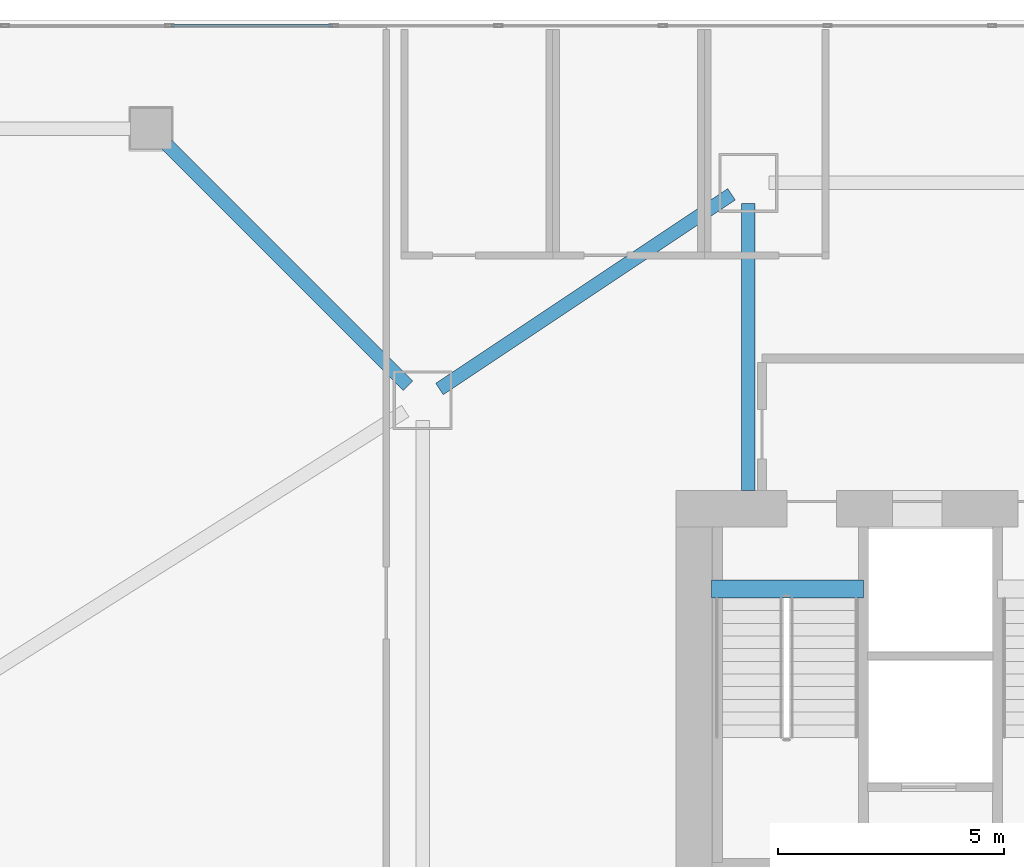
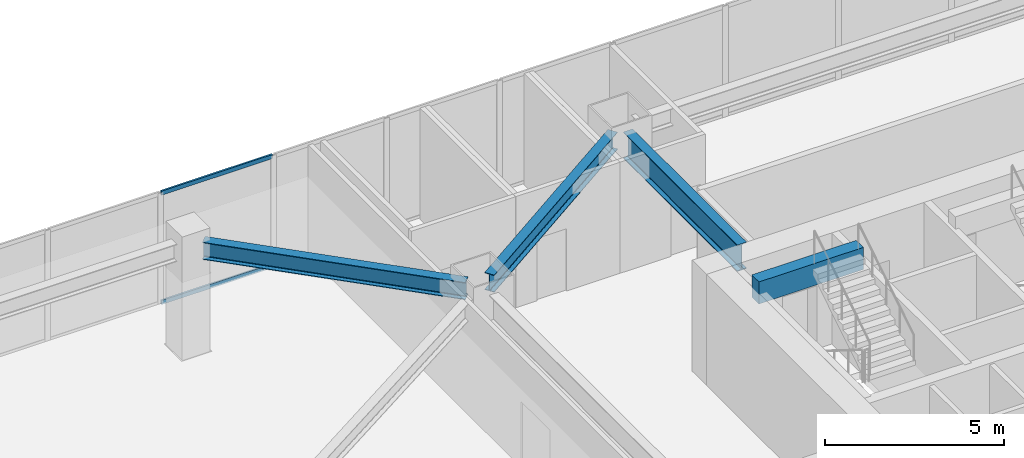
# One storey, part 13 of 32: 4 beams, 2 members, 1 element without a shape of its own.
"""IFC4 building model written with IfcOpenShell, lengths in metres."""

from ifc_helpers import new_model, si_unit, direction, frame, origin, origin_2d, place, context, subcontext, project, spatial, rectangle, hollow_rectangle, i_section, extrude, material, layer, layer_set, material_profile, profile_set, type_object, element, aggregate, save


model = new_model("IFC4")

# Units and contexts
model_context = context("Model", 3, precision=1e-05, world=origin(), true_north=direction((0.0, 1.0)))
body_context = subcontext(model_context, "Body", "Model", "MODEL_VIEW")
ifc_project = project(units=[si_unit("LENGTHUNIT", "METRE"), si_unit("AREAUNIT", "SQUARE_METRE"), si_unit("VOLUMEUNIT", "CUBIC_METRE"), si_unit("PLANEANGLEUNIT", "RADIAN"), si_unit("MASSUNIT", "GRAM", prefix="KILO")], contexts=[model_context])

# Site, building, storey
site_placement = place(None, origin())
site = spatial("IfcSite", under=ifc_project, at=site_placement, CompositionType="ELEMENT")
building_placement = place(site_placement, origin())
building = spatial("IfcBuilding", under=site, at=building_placement, Name="Haolan Belvedere Tower", CompositionType="ELEMENT")
storey_placement = place(building_placement, frame((0.0, 0.0, 15.60009765625)))
storey = spatial("IfcBuildingStorey", under=building, at=storey_placement, Name="L03", CompositionType="ELEMENT", Elevation=15.60009765625)

# Beams
ifc_material_1 = material(Name="Steel Q355B", Category="steel")
ifc_material_profile_1 = material_profile(ifc_material_1, i_section(OverallWidth=0.300048828125, OverallDepth=0.587890625, WebThickness=0.011962890625, FlangeThickness=0.02001953125, FilletRadius=0.028076171875, at=origin_2d()), Name="Steel Q355B")
ifc_profile_set_1 = profile_set([ifc_material_profile_1], Name="Steel Q355B")
beam_type_1 = type_object("IfcBeamType", Name="BM-HM588x300x12x20", PredefinedType="SPANDREL", material=ifc_profile_set_1)
beam_1_placement = place(storey_placement, frame((24.37451171875, 45.849609375, 3.48583984375), z_axis=(0.832050294338, 0.554700196225, 0.0), x_axis=(-0.554700196225, 0.832050294338, 0.0)))
element("IfcBeam", 1, at=beam_1_placement, inside=storey, type_object=beam_type_1, Name="L03 spandrel girder MC-T3-NW-MC-T3-N1", PredefinedType="SPANDREL", context=body_context, shape_type="SweptSolid", body=[
    extrude(i_section(OverallWidth=0.300048828125, OverallDepth=0.587890625, WebThickness=0.011962890625, FlangeThickness=0.02001953125, FilletRadius=0.028076171875, at=origin_2d()), origin(), (0.0, 0.0, 1.0), 7.75341796875),
])
beam_2_placement = place(storey_placement, frame((18.318115234375, 51.28173828125, 3.48583984375), z_axis=(0.707122873923, -0.707090688084, 0.0), x_axis=(0.707090688084, 0.707122873923, 0.0)))
element("IfcBeam", 2, at=beam_2_placement, inside=storey, type_object=beam_type_1, Name="L03 spandrel girder PC-NW-2-MC-T3-NW", PredefinedType="SPANDREL", context=body_context, shape_type="SweptSolid", body=[
    extrude(i_section(OverallWidth=0.300048828125, OverallDepth=0.587890625, WebThickness=0.011962890625, FlangeThickness=0.02001953125, FilletRadius=0.028076171875, at=origin_2d()), origin(), (0.0, 0.0, 1.0), 7.58544921875),
])
ifc_material_profile_2 = material_profile(ifc_material_1, i_section(OverallWidth=0.300048828125, OverallDepth=0.89990234375, WebThickness=0.01611328125, FlangeThickness=0.028076171875, FilletRadius=0.028076171875, at=origin_2d()), Name="Steel Q355B")
ifc_profile_set_2 = profile_set([ifc_material_profile_2], Name="Steel Q355B")
beam_type_2 = type_object("IfcBeamType", Name="BM-HN900x300x16x28", PredefinedType="BEAM", material=ifc_profile_set_2)
beam_3_placement = place(storey_placement, frame((31.199951171875, 49.949951171875, 3.329833984375), z_axis=(0.0, -1.0, 0.0), x_axis=(1.0, 0.0, 0.0)))
element("IfcBeam", 3, at=beam_3_placement, inside=storey, type_object=beam_type_2, Name="L03 core tie beam from MC-T3-N1", PredefinedType="BEAM", context=body_context, shape_type="SweptSolid", body=[
    extrude(i_section(OverallWidth=0.300048828125, OverallDepth=0.89990234375, WebThickness=0.01611328125, FlangeThickness=0.028076171875, FilletRadius=0.028076171875, at=origin_2d()), origin(), (0.0, 0.0, 1.0), 6.349853515625),
])
ifc_material_2 = material(Name="Concrete C50/60", Category="concrete")
ifc_material_profile_3 = material_profile(ifc_material_2, rectangle(XDim=0.39990234375, YDim=0.75, at=origin_2d()), Name="Concrete C50/60")
ifc_profile_set_3 = profile_set([ifc_material_profile_3], Name="Concrete C50/60")
beam_type_3 = type_object("IfcBeamType", Name="BM-RC400x750", PredefinedType="T_BEAM", material=ifc_profile_set_3)
beam_4_placement = place(storey_placement, frame((30.3798828125, 41.429931640625, 3.824951171875), z_axis=(1.0, 0.0, 0.0), x_axis=(0.0, 1.0, 0.0)))
element("IfcBeam", 4, at=beam_4_placement, inside=storey, type_object=beam_type_3, Name="L04 stair ST1 RC header trimmer beam", PredefinedType="BEAM", context=body_context, shape_type="SweptSolid", body=[
    extrude(rectangle(XDim=0.39990234375, YDim=0.75, at=origin_2d()), origin(), (0.0, 0.0, 1.0), 3.360107421875),
])

# Curtain wall, members
ifc_material_3 = material(Name="Anodised champagne-silver aluminium 6063-T6 and Low-E glass", Category="aluminium")
ifc_layer = layer(ifc_material_3, 0.179931640625, Name="Anodised champagne-silver aluminium 6063-T6 and Low-E glass")
ifc_layer_set = layer_set([ifc_layer], Name="Anodised champagne-silver aluminium 6063-T6 and Low-E glass")
curtain_wall_type = type_object("IfcCurtainWallType", Name="CW-SYS-01", PredefinedType="NOTDEFINED", material=ifc_layer_set)
curtain_wall_placement = place(storey_placement, origin())
curtain_wall = element("IfcCurtainWall", 5, at=curtain_wall_placement, inside=storey, type_object=curtain_wall_type, Name="L03 CW-SYS-01 ribbon curtain wall 3.1", PredefinedType="NOTDEFINED")
ifc_material_4 = material(Name="Anodised aluminium 6063-T6", Category="aluminium")
ifc_material_profile_4 = material_profile(ifc_material_4, hollow_rectangle(XDim=0.06005859375, YDim=0.139892578125, WallThickness=0.00390625, at=origin_2d()), Name="Anodised aluminium 6063-T6")
ifc_profile_set_4 = profile_set([ifc_material_profile_4], Name="Anodised aluminium 6063-T6")
member_type = type_object("IfcMemberType", Name="CW-SYS-01-TRN", PredefinedType="USERDEFINED", material=ifc_profile_set_4)
member_1_placement = place(storey_placement, frame((22.01123046875, 53.8701171875, 0.02978515625), z_axis=(-1.0, 0.0, 0.0), x_axis=(0.0, -1.0, 0.0)))
member_1 = element("IfcMember", 6, at=member_1_placement, type_object=member_type, Name="CW-01 transom 15.1", ObjectType="TRANSOM", PredefinedType="USERDEFINED", context=body_context, shape_type="SweptSolid", body=[
    extrude(hollow_rectangle(XDim=0.06005859375, YDim=0.139892578125, WallThickness=0.00390625, at=origin_2d()), origin(), (0.0, 0.0, 1.0), 3.56982421875),
])
member_2_placement = place(storey_placement, frame((22.01123046875, 53.8701171875, 3.75), z_axis=(-1.0, 0.0, 0.0), x_axis=(0.0, -1.0, 0.0)))
member_2 = element("IfcMember", 7, at=member_2_placement, type_object=member_type, Name="CW-01 transom 15.2", ObjectType="TRANSOM", PredefinedType="USERDEFINED", context=body_context, shape_type="SweptSolid", body=[
    extrude(hollow_rectangle(XDim=0.06005859375, YDim=0.139892578125, WallThickness=0.00390625, at=origin_2d()), origin(), (0.0, 0.0, 1.0), 3.56982421875),
])
aggregate(curtain_wall, [member_1, member_2])

save(model, "model.ifc")
